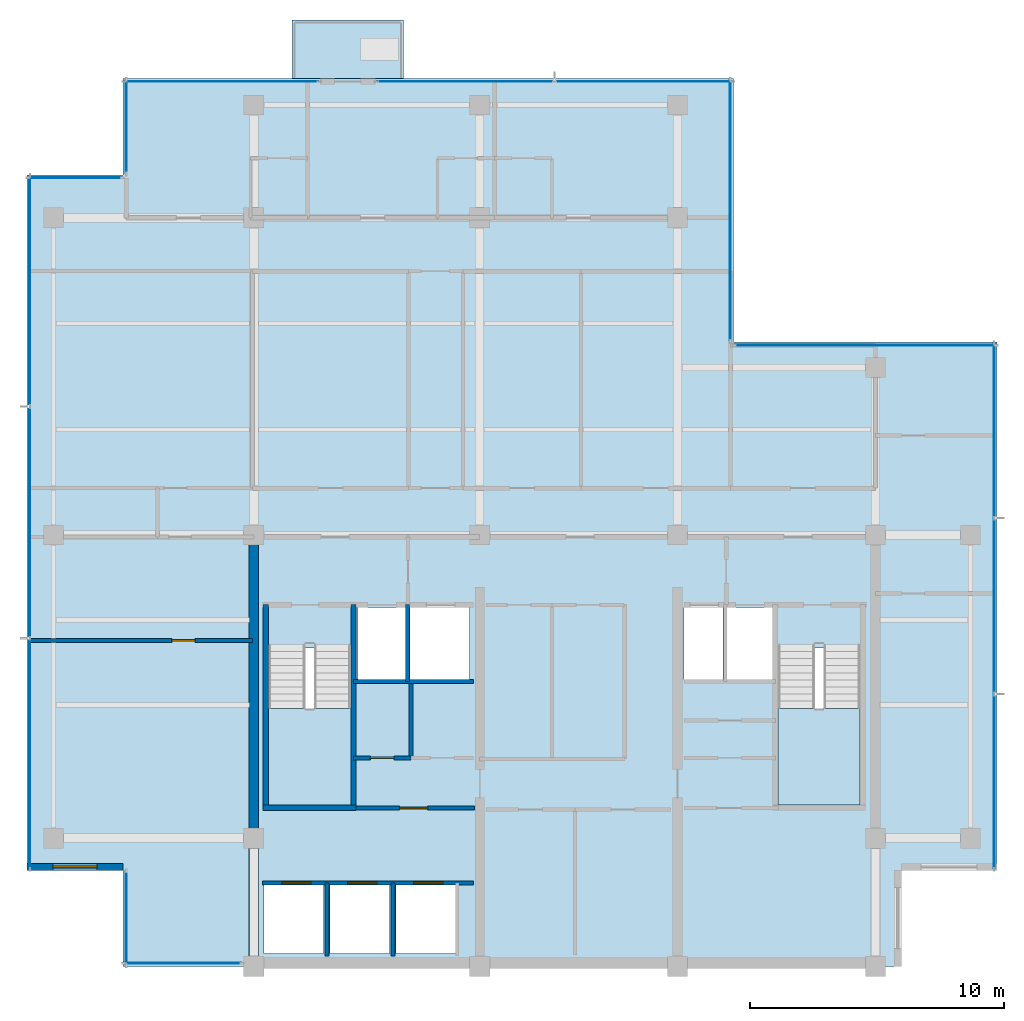
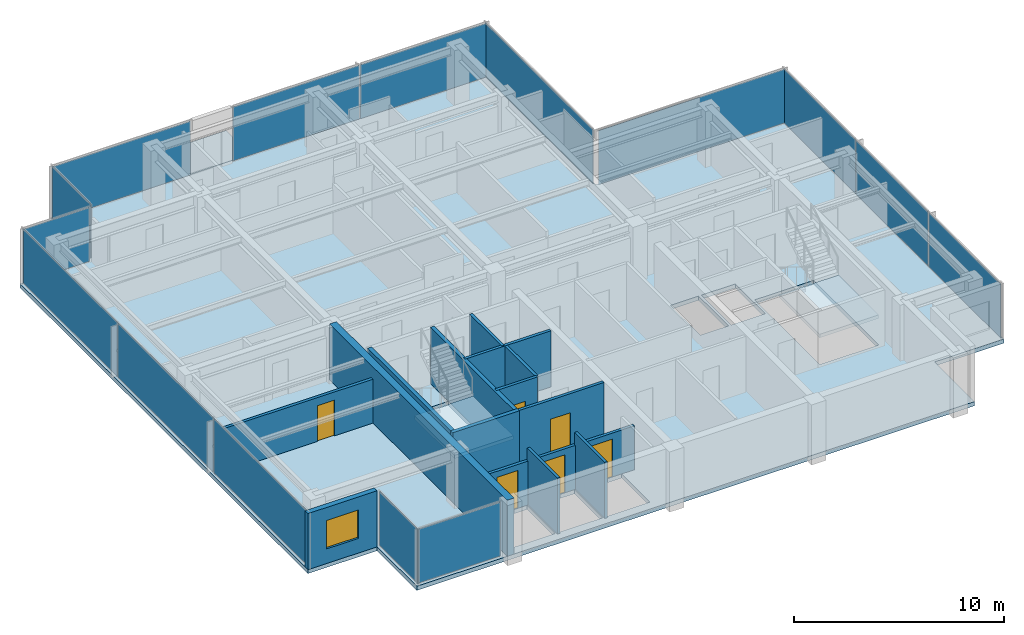
# One storey, part 5 of 11: 15 plates, 14 walls, 6 doors, 4 slabs, 1 window, 7 openings, 12 elements without a shape of their own.
"""IFC4 building model written with IfcOpenShell, lengths in metres."""

from ifc_helpers import new_model, si_unit, direction, frame, frame_2d, origin, origin_2d, place, context, subcontext, project, spatial, polyline, rectangle, outline, extrude, material, layer, layer_set, type_object, element, fill, aggregate, save


model = new_model("IFC4")

# Units and contexts
model_context = context("Model", 3, precision=1e-05, world=origin(), true_north=direction((0.0, 1.0)))
body_context = subcontext(model_context, "Body", "Model", "MODEL_VIEW")
ifc_project = project(units=[si_unit("LENGTHUNIT", "METRE"), si_unit("AREAUNIT", "SQUARE_METRE"), si_unit("VOLUMEUNIT", "CUBIC_METRE"), si_unit("PLANEANGLEUNIT", "RADIAN"), si_unit("MASSUNIT", "GRAM", prefix="KILO")], contexts=[model_context])

# Site, building, storey
site_placement = place(None, origin())
site = spatial("IfcSite", under=ifc_project, at=site_placement, CompositionType="ELEMENT")
building_placement = place(site_placement, origin())
building = spatial("IfcBuilding", under=site, at=building_placement, Name="Qalmaran Belvedere Hotel", CompositionType="ELEMENT")
storey_placement = place(building_placement, frame((0.0, 0.0, 266.89990234375)))
storey = spatial("IfcBuildingStorey", under=building, at=storey_placement, Name="L69", CompositionType="ELEMENT", Elevation=266.89990234375)

# Curtain wall, plate
ifc_material_1 = material(Name="Anodised Bronze Aluminium", Category="aluminium")
ifc_layer_1 = layer(ifc_material_1, 0.18505859375, Name="Anodised Bronze Aluminium")
ifc_layer_set_1 = layer_set([ifc_layer_1], Name="Anodised Bronze Aluminium")
curtain_wall_type = type_object("IfcCurtainWallType", Name="CW6-TOWER-SKY", PredefinedType="NOTDEFINED", material=ifc_layer_set_1)
curtain_wall_1_placement = place(storey_placement, origin())
curtain_wall_1 = element("IfcCurtainWall", 1, at=curtain_wall_1_placement, inside=storey, type_object=curtain_wall_type, Name="L69 Curtain Wall CW6", PredefinedType="NOTDEFINED")
ifc_material_2 = material(Name="Solar-Control Double Glazing", Category="glass")
ifc_layer_2 = layer(ifc_material_2, 0.028076171875, Name="Solar-Control Double Glazing")
ifc_layer_set_2 = layer_set([ifc_layer_2], Name="Solar-Control Double Glazing")
plate_type = type_object("IfcPlateType", Name="CWP-VISION-28", PredefinedType="CURTAIN_PANEL", material=ifc_layer_set_2)
plate_1_placement = place(storey_placement, frame((17.5048828125, 3.6201171875, 0.065185546875), z_axis=(0.0, 0.0, 1.0), x_axis=(1.0, 0.0, 0.0)))
plate_1 = element("IfcPlate", 2, at=plate_1_placement, type_object=plate_type, Name="CW6 panel 1.1", PredefinedType="CURTAIN_PANEL", context=body_context, shape_type="SweptSolid", body=[
    extrude(rectangle(XDim=4.580078125, YDim=0.028076171875, at=origin_2d()), origin(), (0.0, 0.0, 1.0), 3.1298828125),
])
aggregate(curtain_wall_1, [plate_1])

# Curtain wall, plates
curtain_wall_2_placement = place(storey_placement, origin())
curtain_wall_2 = element("IfcCurtainWall", 3, at=curtain_wall_2_placement, inside=storey, type_object=curtain_wall_type, Name="L69 Curtain Wall CW6", PredefinedType="NOTDEFINED")
plate_2_placement = place(storey_placement, frame((49.47998046875, 10.782958984375, 0.065185546875), z_axis=(0.0, 0.0, 1.0), x_axis=(0.0, 1.0, 0.0)))
plate_2 = element("IfcPlate", 4, at=plate_2_placement, type_object=plate_type, Name="CW6 panel 1.1", PredefinedType="CURTAIN_PANEL", context=body_context, shape_type="SweptSolid", body=[
    extrude(rectangle(XDim=6.8359375, YDim=0.028076171875, at=origin_2d()), origin(), (0.0, 0.0, 1.0), 3.1298828125),
])
plate_3_placement = place(storey_placement, frame((49.47998046875, 17.699951171875, 0.065185546875), z_axis=(0.0, 0.0, 1.0), x_axis=(0.0, 1.0, 0.0)))
plate_3 = element("IfcPlate", 5, at=plate_3_placement, type_object=plate_type, Name="CW6 panel 2.1", PredefinedType="CURTAIN_PANEL", context=body_context, shape_type="SweptSolid", body=[
    extrude(rectangle(XDim=6.868408203125, YDim=0.028076171875, at=origin_2d()), origin(), (0.0, 0.0, 1.0), 3.1298828125),
])
plate_4_placement = place(storey_placement, frame((49.47998046875, 24.6171875, 0.065185546875), z_axis=(0.0, 0.0, 1.0), x_axis=(0.0, 1.0, 0.0)))
plate_4 = element("IfcPlate", 6, at=plate_4_placement, type_object=plate_type, Name="CW6 panel 3.1", PredefinedType="CURTAIN_PANEL", context=body_context, shape_type="SweptSolid", body=[
    extrude(rectangle(XDim=6.8359375, YDim=0.028076171875, at=origin_2d()), origin(), (0.0, 0.0, 1.0), 3.1298828125),
])
aggregate(curtain_wall_2, [plate_2, plate_3, plate_4])

# Curtain wall, plate
curtain_wall_3_placement = place(storey_placement, origin())
curtain_wall_3 = element("IfcCurtainWall", 7, at=curtain_wall_3_placement, inside=storey, type_object=curtain_wall_type, Name="L69 Curtain Wall CW6", PredefinedType="NOTDEFINED")
plate_5_placement = place(storey_placement, frame((44.39990234375, 27.97998046875, 0.065185546875), z_axis=(0.0, 0.0, 1.0), x_axis=(-1.0, 0.0, 0.0)))
plate_5 = element("IfcPlate", 8, at=plate_5_placement, type_object=plate_type, Name="CW6 panel 1.1", PredefinedType="CURTAIN_PANEL", context=body_context, shape_type="SweptSolid", body=[
    extrude(rectangle(XDim=10.27001953125, YDim=0.028076171875, at=origin_2d()), origin(), (0.0, 0.0, 1.0), 3.1298828125),
])
aggregate(curtain_wall_3, [plate_5])

curtain_wall_4_placement = place(storey_placement, origin())
curtain_wall_4 = element("IfcCurtainWall", 9, at=curtain_wall_4_placement, inside=storey, type_object=curtain_wall_type, Name="L69 Curtain Wall CW6", PredefinedType="NOTDEFINED")
plate_6_placement = place(storey_placement, frame((39.080078125, 33.300048828125, 0.065185546875), z_axis=(0.0, 0.0, 1.0), x_axis=(0.0, 1.0, 0.0)))
plate_6 = element("IfcPlate", 10, at=plate_6_placement, type_object=plate_type, Name="CW6 panel 1.1", PredefinedType="CURTAIN_PANEL", context=body_context, shape_type="SweptSolid", body=[
    extrude(rectangle(XDim=10.27001953125, YDim=0.028076171875, at=origin_2d()), origin(), (0.0, 0.0, 1.0), 3.1298828125),
])
aggregate(curtain_wall_4, [plate_6])

curtain_wall_5_placement = place(storey_placement, origin())
curtain_wall_5 = element("IfcCurtainWall", 11, at=curtain_wall_5_placement, inside=storey, type_object=curtain_wall_type, Name="L69 Curtain Wall CW6", PredefinedType="NOTDEFINED")
plate_7_placement = place(storey_placement, frame((19.02490234375, 38.3798828125, 0.065185546875), z_axis=(0.0, 0.0, 1.0), x_axis=(-1.0, 0.0, 0.0)))
plate_7 = element("IfcPlate", 12, at=plate_7_placement, type_object=plate_type, Name="CW6 panel 1.1", PredefinedType="CURTAIN_PANEL", context=body_context, shape_type="SweptSolid", body=[
    extrude(rectangle(XDim=7.6201171875, YDim=0.028076171875, at=origin_2d()), origin(), (0.0, 0.0, 1.0), 3.1298828125),
])
aggregate(curtain_wall_5, [plate_7])

# Curtain wall, plates
curtain_wall_6_placement = place(storey_placement, origin())
curtain_wall_6 = element("IfcCurtainWall", 13, at=curtain_wall_6_placement, inside=storey, type_object=curtain_wall_type, Name="L69 Curtain Wall CW6", PredefinedType="NOTDEFINED")
plate_8_placement = place(storey_placement, frame((35.65869140625, 38.3798828125, 0.065185546875), z_axis=(0.0, 0.0, 1.0), x_axis=(-1.0, 0.0, 0.0)))
plate_8 = element("IfcPlate", 14, at=plate_8_placement, type_object=plate_type, Name="CW6 panel 1.1", PredefinedType="CURTAIN_PANEL", context=body_context, shape_type="SweptSolid", body=[
    extrude(rectangle(XDim=6.952392578125, YDim=0.028076171875, at=origin_2d()), origin(), (0.0, 0.0, 1.0), 3.1298828125),
])
plate_9_placement = place(storey_placement, frame((28.641357421875, 38.3798828125, 0.065185546875), z_axis=(0.0, 0.0, 1.0), x_axis=(-1.0, 0.0, 0.0)))
plate_9 = element("IfcPlate", 15, at=plate_9_placement, type_object=plate_type, Name="CW6 panel 2.1", PredefinedType="CURTAIN_PANEL", context=body_context, shape_type="SweptSolid", body=[
    extrude(rectangle(XDim=6.952392578125, YDim=0.028076171875, at=origin_2d()), origin(), (0.0, 0.0, 1.0), 3.1298828125),
])
aggregate(curtain_wall_6, [plate_8, plate_9])

# Curtain wall, plate
curtain_wall_7_placement = place(storey_placement, origin())
curtain_wall_7 = element("IfcCurtainWall", 16, at=curtain_wall_7_placement, inside=storey, type_object=curtain_wall_type, Name="L69 Curtain Wall CW6", PredefinedType="NOTDEFINED")
plate_10_placement = place(storey_placement, frame((15.27001953125, 36.60009765625, 0.065185546875), z_axis=(0.0, 0.0, 1.0), x_axis=(0.0, -1.0, 0.0)))
plate_10 = element("IfcPlate", 17, at=plate_10_placement, type_object=plate_type, Name="CW6 panel 1.1", PredefinedType="CURTAIN_PANEL", context=body_context, shape_type="SweptSolid", body=[
    extrude(rectangle(XDim=3.669921875, YDim=0.028076171875, at=origin_2d()), origin(), (0.0, 0.0, 1.0), 3.1298828125),
])
aggregate(curtain_wall_7, [plate_10])

curtain_wall_8_placement = place(storey_placement, origin())
curtain_wall_8 = element("IfcCurtainWall", 18, at=curtain_wall_8_placement, inside=storey, type_object=curtain_wall_type, Name="L69 Curtain Wall CW6", PredefinedType="NOTDEFINED")
plate_11_placement = place(storey_placement, frame((13.25, 34.580078125, 0.065185546875), z_axis=(0.0, 0.0, 1.0), x_axis=(-1.0, 0.0, 0.0)))
plate_11 = element("IfcPlate", 19, at=plate_11_placement, type_object=plate_type, Name="CW6 panel 1.1", PredefinedType="CURTAIN_PANEL", context=body_context, shape_type="SweptSolid", body=[
    extrude(rectangle(XDim=3.669921875, YDim=0.028076171875, at=origin_2d()), origin(), (0.0, 0.0, 1.0), 3.1298828125),
])
aggregate(curtain_wall_8, [plate_11])

# Curtain wall, plates
curtain_wall_9_placement = place(storey_placement, origin())
curtain_wall_9 = element("IfcCurtainWall", 20, at=curtain_wall_9_placement, inside=storey, type_object=curtain_wall_type, Name="L69 Curtain Wall CW6", PredefinedType="NOTDEFINED")
plate_12_placement = place(storey_placement, frame((11.469970703125, 30.1171875, 0.065185546875), z_axis=(0.0, 0.0, 1.0), x_axis=(0.0, -1.0, 0.0)))
plate_12 = element("IfcPlate", 21, at=plate_12_placement, type_object=plate_type, Name="CW6 panel 1.1", PredefinedType="CURTAIN_PANEL", context=body_context, shape_type="SweptSolid", body=[
    extrude(rectangle(XDim=9.035888671875, YDim=0.028076171875, at=origin_2d()), origin(), (0.0, 0.0, 1.0), 3.1298828125),
])
plate_13_placement = place(storey_placement, frame((11.469970703125, 21.0, 0.065185546875), z_axis=(0.0, 0.0, 1.0), x_axis=(0.0, -1.0, 0.0)))
plate_13 = element("IfcPlate", 22, at=plate_13_placement, type_object=plate_type, Name="CW6 panel 2.1", PredefinedType="CURTAIN_PANEL", context=body_context, shape_type="SweptSolid", body=[
    extrude(rectangle(XDim=9.068359375, YDim=0.028076171875, at=origin_2d()), origin(), (0.0, 0.0, 1.0), 3.1298828125),
])
plate_14_placement = place(storey_placement, frame((11.469970703125, 11.8828125, 0.065185546875), z_axis=(0.0, 0.0, 1.0), x_axis=(0.0, -1.0, 0.0)))
plate_14 = element("IfcPlate", 23, at=plate_14_placement, type_object=plate_type, Name="CW6 panel 3.1", PredefinedType="CURTAIN_PANEL", context=body_context, shape_type="SweptSolid", body=[
    extrude(rectangle(XDim=9.035888671875, YDim=0.028076171875, at=origin_2d()), origin(), (0.0, 0.0, 1.0), 3.1298828125),
])
aggregate(curtain_wall_9, [plate_12, plate_13, plate_14])

# Curtain wall, plate
curtain_wall_10_placement = place(storey_placement, origin())
curtain_wall_10 = element("IfcCurtainWall", 24, at=curtain_wall_10_placement, inside=storey, type_object=curtain_wall_type, Name="L69 Curtain Wall CW6", PredefinedType="NOTDEFINED")
plate_15_placement = place(storey_placement, frame((15.27001953125, 5.39990234375, 0.065185546875), z_axis=(0.0, 0.0, 1.0), x_axis=(0.0, -1.0, 0.0)))
plate_15 = element("IfcPlate", 25, at=plate_15_placement, type_object=plate_type, Name="CW6 panel 1.1", PredefinedType="CURTAIN_PANEL", context=body_context, shape_type="SweptSolid", body=[
    extrude(rectangle(XDim=3.669921875, YDim=0.028076171875, at=origin_2d()), origin(), (0.0, 0.0, 1.0), 3.1298828125),
])
aggregate(curtain_wall_10, [plate_15])

# Slab
ifc_material_3 = material(Name="Concrete C40/50", Category="concrete")
ifc_layer_3 = layer(ifc_material_3, 0.219970703125, Name="Concrete C40/50")
ifc_layer_set_3 = layer_set([ifc_layer_3], Name="Concrete C40/50")
slab_type_1 = type_object("IfcSlabType", Name="SLB-BAL-220", PredefinedType="USERDEFINED", material=ifc_layer_set_3)
slab_1_placement = place(storey_placement, frame((0.0, 0.0, -0.219970703125)))
element("IfcSlab", 26, at=slab_1_placement, inside=storey, type_object=slab_type_1, Name="L69 Planted Tree Balcony Slab 1", ObjectType="BALCONY", PredefinedType="USERDEFINED", context=body_context, shape_type="SweptSolid", body=[
    extrude(outline(polyline([(21.800048828125, 38.5), (26.199951171875, 38.5), (26.199951171875, 40.800048828125), (21.800048828125, 40.800048828125), (21.800048828125, 38.5)])), origin(), (0.0, 0.0, 1.0), 0.219970703125),
])

# Stair, slab
stair_type_1 = type_object("IfcStairType", Name="STR-ST-1-1450-R1750", PredefinedType="HALF_TURN_STAIR", material=ifc_material_3)
stair_1_placement = place(storey_placement, origin())
stair_1 = element("IfcStair", 27, at=stair_1_placement, inside=storey, type_object=stair_type_1, Name="L69 West Core Exit Stair ST-1", PredefinedType="HALF_TURN_STAIR")
ifc_layer_4 = layer(ifc_material_3, 0.199951171875, Name="Concrete C40/50")
ifc_layer_set_4 = layer_set([ifc_layer_4], Name="Concrete C40/50")
slab_type_2 = type_object("IfcSlabType", Name="SLB-STAIR-LANDING-200", PredefinedType="LANDING", material=ifc_layer_set_4)
slab_2_placement = place(storey_placement, frame((0.0, 0.0, 1.550048828125)))
slab_2 = element("IfcSlab", 28, at=slab_2_placement, type_object=slab_type_2, Name="ST-1 landing 1", PredefinedType="LANDING", context=body_context, shape_type="SweptSolid", body=[
    extrude(outline(polyline([(20.8798828125, 13.669921875), (20.8798828125, 9.85009765625), (24.1201171875, 9.85009765625), (24.1201171875, 13.669921875), (20.8798828125, 13.669921875)])), origin(), (0.0, 0.0, 1.0), 0.199951171875),
])
aggregate(stair_1, [slab_2])

stair_type_2 = type_object("IfcStairType", Name="STR-ST-2-1450-R1750", PredefinedType="HALF_TURN_STAIR", material=ifc_material_3)
stair_2_placement = place(storey_placement, origin())
stair_2 = element("IfcStair", 29, at=stair_2_placement, inside=storey, type_object=stair_type_2, Name="L69 East Core Exit Stair ST-2", PredefinedType="HALF_TURN_STAIR")
slab_3_placement = place(storey_placement, frame((0.0, 0.0, 1.550048828125)))
slab_3 = element("IfcSlab", 30, at=slab_3_placement, type_object=slab_type_2, Name="ST-2 landing 1", PredefinedType="LANDING", context=body_context, shape_type="SweptSolid", body=[
    extrude(outline(polyline([(40.9599609375, 13.669921875), (40.9599609375, 9.85009765625), (44.199951171875, 9.85009765625), (44.199951171875, 13.669921875), (40.9599609375, 13.669921875)])), origin(), (0.0, 0.0, 1.0), 0.199951171875),
])
aggregate(stair_2, [slab_3])

# Slab
ifc_layer_5 = layer(ifc_material_3, 0.239990234375, Name="Concrete C40/50")
ifc_layer_set_5 = layer_set([ifc_layer_5], Name="Concrete C40/50")
slab_type_3 = type_object("IfcSlabType", Name="SLB-Z4-240", PredefinedType="FLOOR", material=ifc_layer_set_5)
slab_4_placement = place(storey_placement, frame((0.0, 0.0, -0.239990234375)))
element("IfcSlab", 31, at=slab_4_placement, inside=storey, type_object=slab_type_3, Name="L69 Structural Floor Slab", PredefinedType="FLOOR", context=body_context, shape_type="SweptSolid", body=[
    extrude(outline(polyline([(15.14990234375, 3.5), (45.800048828125, 3.5), (45.800048828125, 7.300048828125), (49.60009765625, 7.300048828125), (49.60009765625, 28.10009765625), (39.199951171875, 28.10009765625), (39.199951171875, 38.5), (15.14990234375, 38.5), (15.14990234375, 34.699951171875), (11.35009765625, 34.699951171875), (11.35009765625, 7.300048828125), (15.14990234375, 7.300048828125), (15.14990234375, 3.5)]), holes=[polyline([(20.8798828125, 9.85009765625), (24.1201171875, 9.85009765625), (24.1201171875, 16.0400390625), (20.8798828125, 16.0400390625), (20.8798828125, 9.85009765625)]), polyline([(40.9599609375, 9.85009765625), (44.199951171875, 9.85009765625), (44.199951171875, 16.0400390625), (40.9599609375, 16.0400390625), (40.9599609375, 9.85009765625)]), polyline([(20.699951171875, 4.0), (23.050048828125, 4.0), (23.050048828125, 6.699951171875), (20.699951171875, 6.699951171875), (20.699951171875, 4.0)]), polyline([(23.300048828125, 4.0), (25.64990234375, 4.0), (25.64990234375, 6.699951171875), (23.300048828125, 6.699951171875), (23.300048828125, 4.0)]), polyline([(25.89990234375, 4.0), (28.25, 4.0), (28.25, 6.699951171875), (25.89990234375, 6.699951171875), (25.89990234375, 4.0)]), polyline([(24.39990234375, 14.800048828125), (26.300048828125, 14.800048828125), (26.300048828125, 17.64990234375), (24.39990234375, 17.64990234375), (24.39990234375, 14.800048828125)]), polyline([(38.949951171875, 14.800048828125), (40.820068359375, 14.800048828125), (40.820068359375, 17.64990234375), (38.949951171875, 17.64990234375), (38.949951171875, 14.800048828125)]), polyline([(26.449951171875, 14.800048828125), (28.800048828125, 14.800048828125), (28.800048828125, 17.64990234375), (26.449951171875, 17.64990234375), (26.449951171875, 14.800048828125)]), polyline([(37.25, 14.800048828125), (38.800048828125, 14.800048828125), (38.800048828125, 17.64990234375), (37.25, 17.64990234375), (37.25, 14.800048828125)])]), origin(), (0.0, 0.0, 1.0), 0.239990234375),
])

# Wall
ifc_material_4 = material(Name="Concrete C50/60", Category="concrete")
ifc_layer_6 = layer(ifc_material_4, 0.3798828125, Name="Concrete C50/60")
ifc_layer_set_6 = layer_set([ifc_layer_6], Name="Concrete C50/60")
wall_type_1 = type_object("IfcWallType", Name="WL-CORE-380-C50", PredefinedType="SHEAR", material=ifc_layer_set_6)
wall_1_placement = place(storey_placement, frame((20.300048828125, 3.5, 0.0), z_axis=(0.0, 0.0, 1.0), x_axis=(0.0, 1.0, 0.0)))
element("IfcWall", 32, at=wall_1_placement, inside=storey, type_object=wall_type_1, Name="L69 West Core Shear Wall", PredefinedType="SHEAR", context=body_context, shape_type="SweptSolid", body=[
    extrude(rectangle(XDim=16.89990234375, YDim=0.3798828125, at=frame_2d((8.449951171875, 0.0))), origin(), (0.0, 0.0, 1.0), 3.260009765625),
])

# Wall, opening, window
ifc_material_5 = material(Name="Anodised Bronze Cladding")
ifc_layer_7 = layer(ifc_material_5, 0.280029296875, Name="Anodised Bronze Cladding")
ifc_layer_set_7 = layer_set([ifc_layer_7], Name="Anodised Bronze Cladding")
wall_type_2 = type_object("IfcWallType", Name="WL-EXT-BRNZ-280", PredefinedType="SOLIDWALL", material=ifc_layer_set_7)
wall_2_placement = place(storey_placement, frame((11.35009765625, 7.419921875, 0.0), z_axis=(0.0, 0.0, 1.0), x_axis=(1.0, 0.0, 0.0)))
wall_2 = element("IfcWall", 33, at=wall_2_placement, inside=storey, type_object=wall_type_2, Name="L69 Corner Notch Wall 10", PredefinedType="SOLIDWALL", context=body_context, shape_type="SweptSolid", body=[
    extrude(rectangle(XDim=3.7998046875, YDim=0.280029296875, at=frame_2d((1.89990234375, 0.0))), origin(), (0.0, 0.0, 1.0), 3.260009765625),
])
opening_1_placement = place(wall_2_placement, frame((1.02490234375, 0.0, 0.85009765625)))
opening_1 = element("IfcOpeningElement", 34, at=opening_1_placement, cuts=wall_2, Name="Opening W-N17", PredefinedType="OPENING", context=body_context, shape_type="SweptSolid", body=[
    extrude(rectangle(XDim=1.75, YDim=1.64990234375, at=frame_2d((0.875, 0.824951171875))), frame((0.0, 0.14990234375, 0.0), z_axis=(0.0, -1.0, 0.0), x_axis=(1.0, 0.0, 0.0)), (0.0, 0.0, 1.0), 0.300048828125),
])
window_type = type_object("IfcWindowType", Name="WN-NTC-1750X1650", PartitioningType="SINGLE_PANEL", PredefinedType="WINDOW", material=ifc_material_2)
window_placement = place(opening_1_placement, origin())
window = element("IfcWindow", 35, at=window_placement, inside=storey, type_object=window_type, Name="L69 Corner Notch Window 10", OverallHeight=1.64990234375, OverallWidth=1.75, PartitioningType="SINGLE_PANEL", PredefinedType="WINDOW", context=body_context, shape_type="SweptSolid", body=[
    extrude(rectangle(XDim=1.75, YDim=1.64990234375, at=frame_2d((0.875, 0.824951171875))), frame((0.0, 0.030029296875, 0.0), z_axis=(0.0, -1.0, 0.0), x_axis=(1.0, 0.0, 0.0)), (0.0, 0.0, 1.0), 0.06005859375),
])
fill(opening_1, window)

# Walls
ifc_material_6 = material(Name="Gypsum Stud Partition")
ifc_layer_8 = layer(ifc_material_6, 0.14990234375, Name="Gypsum Stud Partition")
ifc_layer_set_8 = layer_set([ifc_layer_8], Name="Gypsum Stud Partition")
wall_type_3 = type_object("IfcWallType", Name="WL-INT-150-EI120", PredefinedType="PARTITIONING", material=ifc_layer_set_8)
wall_3_placement = place(storey_placement, frame((26.360107421875, 14.719970703125, 0.0), z_axis=(0.0, 0.0, 1.0), x_axis=(0.0, 1.0, 0.0)))
element("IfcWall", 36, at=wall_3_placement, inside=storey, type_object=wall_type_3, Name="L69 Partition WL-FF1M-L69", PredefinedType="PARTITIONING", context=body_context, shape_type="SweptSolid", body=[
    extrude(rectangle(XDim=3.0400390625, YDim=0.14990234375, at=frame_2d((1.52001953125, 0.0))), origin(), (0.0, 0.0, 1.0), 3.260009765625),
])
for number, where, z_axis, x_axis, name in (
    (37, (23.179931640625, 3.89990234375, 0.0), (0.0, 0.0, 1.0), (0.0, 1.0, 0.0), "L69 Partition WL-POM1-L69"),
    (38, (25.780029296875, 3.89990234375, 0.0), (0.0, 0.0, 1.0), (0.0, 1.0, 0.0), "L69 Partition WL-POM2-L69"),
):
    element("IfcWall", number, at=place(storey_placement, frame(where, z_axis=z_axis, x_axis=x_axis)), inside=storey, type_object=wall_type_3, Name=name, PredefinedType="PARTITIONING", context=body_context, shape_type="SweptSolid", body=[
        extrude(rectangle(XDim=2.880126953125, YDim=0.14990234375, at=frame_2d((1.43994140625, 0.0))), origin(), (0.0, 0.0, 1.0), 3.260009765625),
    ])
ifc_layer_9 = layer(ifc_material_6, 0.14990234375, Name="Gypsum Stud Partition")
ifc_layer_set_9 = layer_set([ifc_layer_9], Name="Gypsum Stud Partition")
wall_type_4 = type_object("IfcWallType", Name="WL-INT-150-EI60", PredefinedType="PARTITIONING", material=ifc_layer_set_9)
wall_4_placement = place(storey_placement, frame((26.490478515625, 11.719970703125, 0.0), z_axis=(0.0, 0.0, 1.0), x_axis=(0.0, 1.0, 0.0)))
element("IfcWall", 39, at=wall_4_placement, inside=storey, type_object=wall_type_4, Name="L69 Partition WL-L69-KWV1", PredefinedType="PARTITIONING", context=body_context, shape_type="SweptSolid", body=[
    extrude(rectangle(XDim=2.929931640625, YDim=0.14990234375, at=frame_2d((1.46484375, 0.0))), origin(), (0.0, 0.0, 1.0), 3.260009765625),
])
ifc_layer_10 = layer(ifc_material_6, 0.159912109375, Name="Gypsum Stud Partition")
ifc_layer_set_10 = layer_set([ifc_layer_10], Name="Gypsum Stud Partition")
wall_type_5 = type_object("IfcWallType", Name="WL-INT-160-EI120", PredefinedType="PARTITIONING", material=ifc_layer_set_10)
wall_5_placement = place(storey_placement, frame((24.219970703125, 14.719970703125, 0.0), z_axis=(0.0, 0.0, 1.0), x_axis=(1.0, 0.0, 0.0)))
element("IfcWall", 40, at=wall_5_placement, inside=storey, type_object=wall_type_5, Name="L69 Partition WL-FF1S-L69", PredefinedType="PARTITIONING", context=body_context, shape_type="SweptSolid", body=[
    extrude(rectangle(XDim=4.72998046875, YDim=0.159912109375, at=frame_2d((2.364990234375, 0.0))), origin(), (0.0, 0.0, 1.0), 3.260009765625),
])

# Wall, openings, doors
wall_6_placement = place(storey_placement, frame((20.64990234375, 6.780029296875, 0.0), z_axis=(0.0, 0.0, 1.0), x_axis=(1.0, 0.0, 0.0)))
wall_6 = element("IfcWall", 41, at=wall_6_placement, inside=storey, type_object=wall_type_5, Name="L69 Partition WL-POS-L69", PredefinedType="PARTITIONING", context=body_context, shape_type="SweptSolid", body=[
    extrude(rectangle(XDim=8.300048828125, YDim=0.159912109375, at=frame_2d((4.14990234375, 0.0))), origin(), (0.0, 0.0, 1.0), 2.550048828125),
])
opening_2_placement = place(wall_6_placement, frame((0.75, 0.0, 0.0)))
opening_2 = element("IfcOpeningElement", 42, at=opening_2_placement, cuts=wall_6, Name="Opening LD-PO", PredefinedType="OPENING", context=body_context, shape_type="SweptSolid", body=[
    extrude(rectangle(XDim=1.14990234375, YDim=2.199951171875, at=frame_2d((0.574951171875, 1.10009765625))), frame((0.0, 0.08984375, 0.0), z_axis=(0.0, -1.0, 0.0), x_axis=(1.0, 0.0, 0.0)), (0.0, 0.0, 1.0), 0.179931640625),
])
opening_3_placement = place(wall_6_placement, frame((3.35009765625, 0.0, 0.0)))
opening_3 = element("IfcOpeningElement", 43, at=opening_3_placement, cuts=wall_6, Name="Opening LD-PO", PredefinedType="OPENING", context=body_context, shape_type="SweptSolid", body=[
    extrude(rectangle(XDim=1.14990234375, YDim=2.199951171875, at=frame_2d((0.574951171875, 1.10009765625))), frame((0.0, 0.08984375, 0.0), z_axis=(0.0, -1.0, 0.0), x_axis=(1.0, 0.0, 0.0)), (0.0, 0.0, 1.0), 0.179931640625),
])
opening_4_placement = place(wall_6_placement, frame((5.949951171875, 0.0, 0.0)))
opening_4 = element("IfcOpeningElement", 44, at=opening_4_placement, cuts=wall_6, Name="Opening LD-PO", PredefinedType="OPENING", context=body_context, shape_type="SweptSolid", body=[
    extrude(rectangle(XDim=1.14990234375, YDim=2.199951171875, at=frame_2d((0.574951171875, 1.10009765625))), frame((0.0, 0.08984375, 0.0), z_axis=(0.0, -1.0, 0.0), x_axis=(1.0, 0.0, 0.0)), (0.0, 0.0, 1.0), 0.179931640625),
])
door_type_1 = type_object("IfcDoorType", Name="DR-LIFT-PO-1150X2200", OperationType="DOUBLE_DOOR_SLIDING", PredefinedType="DOOR", material=ifc_material_1)
door_1_placement = place(opening_2_placement, origin())
door_1 = element("IfcDoor", 45, at=door_1_placement, inside=storey, type_object=door_type_1, Name="L69 PO1 Shuttle Landing Door", OperationType="DOUBLE_DOOR_SLIDING", OverallHeight=2.199951171875, OverallWidth=1.14990234375, PredefinedType="DOOR", context=body_context, shape_type="SweptSolid", body=[
    extrude(rectangle(XDim=1.14990234375, YDim=2.199951171875, at=frame_2d((0.574951171875, 1.10009765625))), frame((0.0, 0.02490234375, 0.0), z_axis=(0.0, -1.0, 0.0), x_axis=(1.0, 0.0, 0.0)), (0.0, 0.0, 1.0), 0.050048828125),
])
fill(opening_2, door_1)
door_2_placement = place(opening_3_placement, origin())
door_2 = element("IfcDoor", 46, at=door_2_placement, inside=storey, type_object=door_type_1, Name="L69 PO2 Shuttle Landing Door", OperationType="DOUBLE_DOOR_SLIDING", OverallHeight=2.199951171875, OverallWidth=1.14990234375, PredefinedType="DOOR", context=body_context, shape_type="SweptSolid", body=[
    extrude(rectangle(XDim=1.14990234375, YDim=2.199951171875, at=frame_2d((0.574951171875, 1.10009765625))), frame((0.0, 0.02490234375, 0.0), z_axis=(0.0, -1.0, 0.0), x_axis=(1.0, 0.0, 0.0)), (0.0, 0.0, 1.0), 0.050048828125),
])
fill(opening_3, door_2)
door_3_placement = place(opening_4_placement, origin())
door_3 = element("IfcDoor", 47, at=door_3_placement, inside=storey, type_object=door_type_1, Name="L69 PO3 Shuttle Landing Door", OperationType="DOUBLE_DOOR_SLIDING", OverallHeight=2.199951171875, OverallWidth=1.14990234375, PredefinedType="DOOR", context=body_context, shape_type="SweptSolid", body=[
    extrude(rectangle(XDim=1.14990234375, YDim=2.199951171875, at=frame_2d((0.574951171875, 1.10009765625))), frame((0.0, 0.02490234375, 0.0), z_axis=(0.0, -1.0, 0.0), x_axis=(1.0, 0.0, 0.0)), (0.0, 0.0, 1.0), 0.050048828125),
])
fill(opening_4, door_3)

# Wall, opening, door
wall_7_placement = place(storey_placement, frame((24.199951171875, 9.739990234375, 0.0), z_axis=(0.0, 0.0, 1.0), x_axis=(1.0, 0.0, 0.0)))
wall_7 = element("IfcWall", 48, at=wall_7_placement, inside=storey, type_object=wall_type_5, Name="L69 Partition WL-PON-L69", PredefinedType="PARTITIONING", context=body_context, shape_type="SweptSolid", body=[
    extrude(rectangle(XDim=4.800048828125, YDim=0.159912109375, at=frame_2d((2.39990234375, 0.0))), origin(), (0.0, 0.0, 1.0), 3.260009765625),
])
opening_5_placement = place(wall_7_placement, frame((1.85009765625, 0.0, 0.0)))
opening_5 = element("IfcOpeningElement", 49, at=opening_5_placement, cuts=wall_7, Name="Opening FD90", PredefinedType="OPENING", context=body_context, shape_type="SweptSolid", body=[
    extrude(rectangle(XDim=1.10009765625, YDim=2.14990234375, at=frame_2d((0.550048828125, 1.074951171875))), frame((0.0, 0.08984375, 0.0), z_axis=(0.0, -1.0, 0.0), x_axis=(1.0, 0.0, 0.0)), (0.0, 0.0, 1.0), 0.179931640625),
])
ifc_material_7 = material(Name="Steel S355JR", Category="steel")
door_type_2 = type_object("IfcDoorType", Name="DR-FD90-1100X2150", OperationType="NOTDEFINED", PredefinedType="DOOR", material=ifc_material_7)
door_4_placement = place(opening_5_placement, origin())
door_4 = element("IfcDoor", 50, at=door_4_placement, inside=storey, type_object=door_type_2, Name="L69 Shuttle Lobby Passage Door", OperationType="SINGLE_SWING_LEFT", OverallHeight=2.14990234375, OverallWidth=1.10009765625, PredefinedType="DOOR", context=body_context, shape_type="SweptSolid", body=[
    extrude(rectangle(XDim=1.10009765625, YDim=2.14990234375, at=frame_2d((0.550048828125, 1.074951171875))), frame((0.0, 0.02490234375, 0.0), z_axis=(0.0, -1.0, 0.0), x_axis=(1.0, 0.0, 0.0)), (0.0, 0.0, 1.0), 0.050048828125),
])
fill(opening_5, door_4)

ifc_layer_11 = layer(ifc_material_6, 0.159912109375, Name="Gypsum Stud Partition")
ifc_layer_set_11 = layer_set([ifc_layer_11], Name="Gypsum Stud Partition")
wall_type_6 = type_object("IfcWallType", Name="WL-INT-160-EI60", PredefinedType="PARTITIONING", material=ifc_layer_set_11)
wall_8_placement = place(storey_placement, frame((24.219970703125, 11.719970703125, 0.0), z_axis=(0.0, 0.0, 1.0), x_axis=(1.0, 0.0, 0.0)))
wall_8 = element("IfcWall", 51, at=wall_8_placement, inside=storey, type_object=wall_type_6, Name="L69 Partition WL-L69-KWE1", PredefinedType="PARTITIONING", context=body_context, shape_type="SweptSolid", body=[
    extrude(rectangle(XDim=2.2705078125, YDim=0.159912109375, at=frame_2d((1.13525390625, 0.0))), origin(), (0.0, 0.0, 1.0), 3.260009765625),
])
opening_6_placement = place(wall_8_placement, frame((0.67529296875, 0.0, 0.0)))
opening_6 = element("IfcOpeningElement", 52, at=opening_6_placement, cuts=wall_8, Name="Opening FD60S1", PredefinedType="OPENING", context=body_context, shape_type="SweptSolid", body=[
    extrude(rectangle(XDim=0.919921875, YDim=2.080078125, at=frame_2d((0.4599609375, 1.0400390625))), frame((0.0, 0.08984375, 0.0), z_axis=(0.0, -1.0, 0.0), x_axis=(1.0, 0.0, 0.0)), (0.0, 0.0, 1.0), 0.179931640625),
])
ifc_material_8 = material(Name="Engineered Oak Veneer")
door_type_3 = type_object("IfcDoorType", Name="DR-FD60S-920X2080", OperationType="NOTDEFINED", PredefinedType="DOOR", material=ifc_material_8)
door_5_placement = place(opening_6_placement, origin())
door_5 = element("IfcDoor", 53, at=door_5_placement, inside=storey, type_object=door_type_3, Name="L69 Telecom and IT Room Door", OperationType="SINGLE_SWING_LEFT", OverallHeight=2.080078125, OverallWidth=0.919921875, PredefinedType="DOOR", context=body_context, shape_type="SweptSolid", body=[
    extrude(rectangle(XDim=0.919921875, YDim=2.080078125, at=frame_2d((0.4599609375, 1.0400390625))), frame((0.0, 0.02490234375, 0.0), z_axis=(0.0, -1.0, 0.0), x_axis=(1.0, 0.0, 0.0)), (0.0, 0.0, 1.0), 0.050048828125),
])
fill(opening_6, door_5)

wall_9_placement = place(storey_placement, frame((11.469970703125, 16.35009765625, 0.0), z_axis=(0.0, 0.0, 1.0), x_axis=(1.0, 0.0, 0.0)))
wall_9 = element("IfcWall", 54, at=wall_9_placement, inside=storey, type_object=wall_type_6, Name="L69 Partition WL-L69-C4WH1", PredefinedType="PARTITIONING", context=body_context, shape_type="SweptSolid", body=[
    extrude(rectangle(XDim=8.780029296875, YDim=0.159912109375, at=frame_2d((4.39013671875, 0.0))), origin(), (0.0, 0.0, 1.0), 2.550048828125),
])
opening_7_placement = place(wall_9_placement, frame((6.52001953125, 0.0, 0.0), z_axis=(0.0, 0.0, 1.0), x_axis=(-1.0, 0.0, 0.0)))
opening_7 = element("IfcOpeningElement", 55, at=opening_7_placement, cuts=wall_9, Name="Opening FD60S1", PredefinedType="OPENING", context=body_context, shape_type="SweptSolid", body=[
    extrude(rectangle(XDim=0.919921875, YDim=2.080078125, at=frame_2d((0.4599609375, 1.0400390625))), frame((0.0, 0.08984375, 0.0), z_axis=(0.0, -1.0, 0.0), x_axis=(1.0, 0.0, 0.0)), (0.0, 0.0, 1.0), 0.179931640625),
])
door_6_placement = place(opening_7_placement, origin())
door_6 = element("IfcDoor", 56, at=door_6_placement, inside=storey, type_object=door_type_3, Name="L69 SW Panorama Inner Door", OperationType="SINGLE_SWING_LEFT", OverallHeight=2.080078125, OverallWidth=0.919921875, PredefinedType="DOOR", context=body_context, shape_type="SweptSolid", body=[
    extrude(rectangle(XDim=0.919921875, YDim=2.080078125, at=frame_2d((0.4599609375, 1.0400390625))), frame((0.0, 0.02490234375, 0.0), z_axis=(0.0, -1.0, 0.0), x_axis=(1.0, 0.0, 0.0)), (0.0, 0.0, 1.0), 0.050048828125),
])
fill(opening_7, door_6)

# Walls
ifc_layer_12 = layer(ifc_material_4, 0.2099609375, Name="Concrete C50/60")
ifc_layer_set_12 = layer_set([ifc_layer_12], Name="Concrete C50/60")
wall_type_7 = type_object("IfcWallType", Name="WL-STAIR-210-C50", PredefinedType="SHEAR", material=ifc_layer_set_12)
for number, where, z_axis, x_axis, name in (
    (57, (20.77490234375, 9.7451171875, 0.0), (0.0, 0.0, 1.0), (0.0, 1.0, 0.0), "L69 Stair ST-1 West Bearing Wall"),
    (58, (24.22509765625, 9.7451171875, 0.0), (0.0, 0.0, 1.0), (0.0, 1.0, 0.0), "L69 Stair ST-1 East Bearing Wall"),
):
    element("IfcWall", number, at=place(storey_placement, frame(where, z_axis=z_axis, x_axis=x_axis)), inside=storey, type_object=wall_type_7, Name=name, PredefinedType="SHEAR", context=body_context, shape_type="SweptSolid", body=[
        extrude(rectangle(XDim=8.009765625, YDim=0.2099609375, at=frame_2d((4.0048828125, 0.0))), origin(), (0.0, 0.0, 1.0), 3.260009765625),
    ])
wall_10_placement = place(storey_placement, frame((20.669921875, 9.7451171875, 0.0), z_axis=(0.0, 0.0, 1.0), x_axis=(1.0, 0.0, 0.0)))
element("IfcWall", 59, at=wall_10_placement, inside=storey, type_object=wall_type_7, Name="L69 Stair ST-1 South Bearing Wall", PredefinedType="SHEAR", context=body_context, shape_type="SweptSolid", body=[
    extrude(rectangle(XDim=3.66015625, YDim=0.2099609375, at=frame_2d((1.830078125, 0.0))), origin(), (0.0, 0.0, 1.0), 3.260009765625),
])

save(model, "model.ifc")
